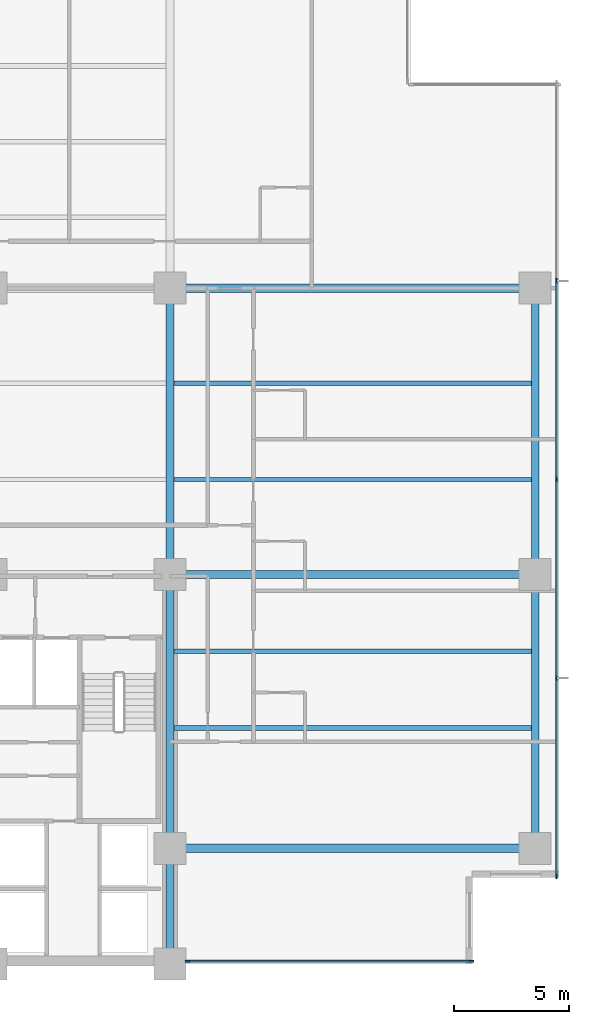
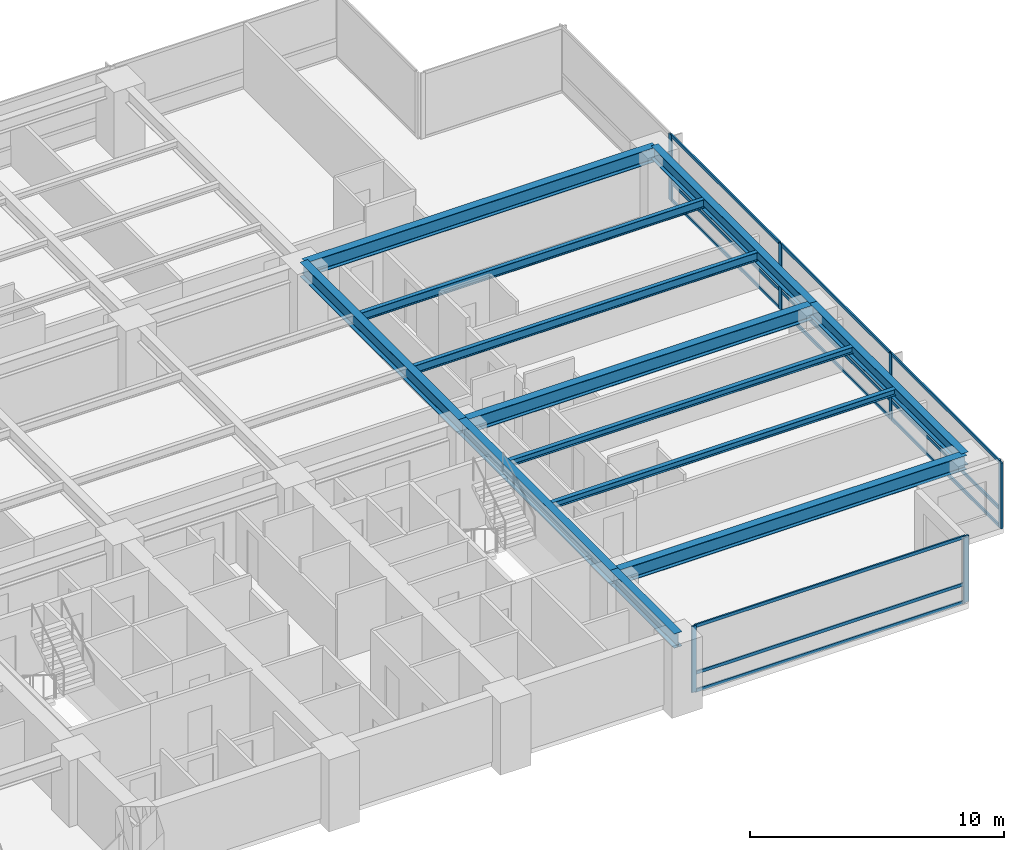
# One storey, part 3 of 16: 18 members, 12 beams, 2 elements without a shape of their own.
"""IFC4 building model written with IfcOpenShell, lengths in metres."""

import ifcopenshell
import ifcopenshell.guid

model = None  # the IFC model being written
_history = None  # IfcOwnerHistory: only IFC2X3 demands one
_inside = {}  # id of a spatial element -> (the spatial element, [elements in it])
_under = {}  # id of a project, library or spatial element -> (it, [spatial elements below it])
_declared = {}  # id of a project -> (the project, [libraries it declares])
_typed = {}  # id of a type object -> (the type object, [elements of that type])
_made_of = {}  # id of a material, layer set ... -> (it, [elements and type objects made of it])


def new_model(schema):
    """Start an empty IFC model of exactly this schema.

    Asked for "IFC4X3", IfcOpenShell would pick the latest addendum, in which some entities
    have other attributes; the version numbers below select the first issue.
    IFC2X3 requires an IfcOwnerHistory on every rooted entity: one is made here for all.
    """
    global model, _history
    if schema == "IFC4X3":
        model = ifcopenshell.file(schema_version=(4, 3, 0, 0))
    else:
        model = ifcopenshell.file(schema=schema)
    _inside.clear()
    _under.clear()
    _declared.clear()
    _typed.clear()
    _made_of.clear()
    _history = None
    if model.schema == "IFC2X3":
        org = make("IfcOrganization", Name="unknown")
        user = make(
            "IfcPersonAndOrganization",
            ThePerson=make("IfcPerson", FamilyName="unknown"),
            TheOrganization=org,
        )
        app = make(
            "IfcApplication",
            ApplicationDeveloper=org,
            Version="unknown",
            ApplicationFullName="unknown",
            ApplicationIdentifier="unknown",
        )
        _history = make(
            "IfcOwnerHistory",
            OwningUser=user,
            OwningApplication=app,
            ChangeAction="ADDED",
            CreationDate=0,
        )
    return model


def make(cls, **values):
    """One entity of the class cls with the attributes given. An attribute that is None is left unset."""
    return model.create_entity(
        cls, **{name: value for name, value in values.items() if value is not None}
    )


def rooted(cls, **values):
    """An entity with a GlobalId (a new one), such as an element, a storey or a relation."""
    return make(cls, GlobalId=ifcopenshell.guid.new(), OwnerHistory=_history, **values)


def si_unit(unit_type, name, prefix=None):
    """IfcSIUnit, for example si_unit("LENGTHUNIT", "METRE", prefix="MILLI")."""
    return make("IfcSIUnit", UnitType=unit_type, Prefix=prefix, Name=name)


def assignment(units):
    """IfcUnitAssignment: the units of a project."""
    return None if units is None else make("IfcUnitAssignment", Units=units)


def point(xyz):
    """IfcCartesianPoint."""
    return None if xyz is None else make("IfcCartesianPoint", Coordinates=xyz)


def direction(xyz):
    """IfcDirection."""
    return None if xyz is None else make("IfcDirection", DirectionRatios=xyz)


def frame(location, z_axis=None, x_axis=None):
    """IfcAxis2Placement3D, a coordinate frame: its origin and axes. An axis left out is left unset."""
    return make(
        "IfcAxis2Placement3D",
        Location=point(location),
        Axis=direction(z_axis),
        RefDirection=direction(x_axis),
    )


def frame_2d(location, x_axis=None):
    """IfcAxis2Placement2D, a coordinate frame in the plane: its origin and x axis."""
    return make(
        "IfcAxis2Placement2D", Location=point(location), RefDirection=direction(x_axis)
    )


def origin():
    """The frame at (0, 0, 0) with its axes left unset."""
    return frame((0.0, 0.0, 0.0))


def origin_2d():
    """The frame at (0, 0) in the plane with its x axis left unset."""
    return frame_2d((0.0, 0.0))


def place(relative_to, where):
    """IfcLocalPlacement: puts the frame where relative to a parent placement (None: the world)."""
    return make(
        "IfcLocalPlacement", PlacementRelTo=relative_to, RelativePlacement=where
    )


def context(
    kind, dimensions, precision=None, world=None, true_north=None, identifier=None
):
    """IfcGeometricRepresentationContext, for example the 3D "Model" context."""
    return make(
        "IfcGeometricRepresentationContext",
        ContextIdentifier=identifier,
        ContextType=kind,
        CoordinateSpaceDimension=dimensions,
        Precision=precision,
        WorldCoordinateSystem=world,
        TrueNorth=true_north,
    )


def subcontext(parent, identifier, kind, view, scale=None):
    """IfcGeometricRepresentationSubContext, for example "Body" below "Model"."""
    return make(
        "IfcGeometricRepresentationSubContext",
        ContextIdentifier=identifier,
        ContextType=kind,
        ParentContext=parent,
        TargetScale=scale,
        TargetView=view,
    )


def project(units=None, contexts=None):
    """IfcProject with its units and contexts."""
    return rooted(
        "IfcProject",
        Name="project",
        RepresentationContexts=contexts,
        UnitsInContext=assignment(units),
    )


def spatial(cls, under=None, at=None, **own):
    """A site, building, storey or space (cls), placed at a placement, below another one or the project."""
    s = rooted(cls, ObjectPlacement=at, **own)
    if under is not None:
        _under.setdefault(under.id(), (under, []))[1].append(s)
    return s


def profile(cls, at=None, kind="AREA", **sizes):
    """A parametric profile (cls). Its sizes go by their IFC names, for example OverallWidth=200.0."""
    return make(cls, ProfileType=kind, Position=at, **sizes)


def rectangle(**sizes):
    """IfcRectangleProfileDef."""
    return profile("IfcRectangleProfileDef", **sizes)


def i_section(**sizes):
    """IfcIShapeProfileDef."""
    return profile("IfcIShapeProfileDef", **sizes)


def extrude(swept, where, along, depth):
    """IfcExtrudedAreaSolid: the profile swept, set in the frame where, extruded along a direction by depth."""
    return make(
        "IfcExtrudedAreaSolid",
        SweptArea=swept,
        Position=where,
        ExtrudedDirection=direction(along),
        Depth=depth,
    )


def shape(context_of_items, identifier, shape_type, items):
    """IfcShapeRepresentation: the items that make up one representation, for example the "Body"."""
    return make(
        "IfcShapeRepresentation",
        ContextOfItems=context_of_items,
        RepresentationIdentifier=identifier,
        RepresentationType=shape_type,
        Items=items,
    )


def material(Name=None, Category=None):
    """IfcMaterial."""
    return make("IfcMaterial", Name=Name, Category=Category)


def layer(
    of_material, thickness, ventilated=None, Name=None, Category=None, Priority=None
):
    """IfcMaterialLayer: one layer of a wall or slab, of a material (None: an air gap)."""
    return make(
        "IfcMaterialLayer",
        Material=of_material,
        LayerThickness=thickness,
        IsVentilated=ventilated,
        Name=Name,
        Category=Category,
        Priority=Priority,
    )


def layer_set(layers, Name=None):
    """IfcMaterialLayerSet."""
    return make("IfcMaterialLayerSet", MaterialLayers=layers, LayerSetName=Name)


def material_profile(
    of_material, cross_section, Name=None, Category=None, Priority=None
):
    """IfcMaterialProfile: a cross section and its material."""
    return make(
        "IfcMaterialProfile",
        Name=Name,
        Material=of_material,
        Profile=cross_section,
        Priority=Priority,
        Category=Category,
    )


def profile_set(profiles, Name=None, composite=None):
    """IfcMaterialProfileSet."""
    return make(
        "IfcMaterialProfileSet",
        Name=Name,
        MaterialProfiles=profiles,
        CompositeProfile=composite,
    )


def made_of(thing, what):
    """Note that an element or type object is made of a material, layer set ...; save() writes the relation."""
    if what is not None:
        _made_of.setdefault(what.id(), (what, []))[1].append(thing)
    return thing


def type_object(cls, material=None, **own):
    """A type object (cls), such as IfcWallType, which elements share."""
    return made_of(rooted(cls, **own), material)


def element(
    cls,
    number,
    at=None,
    inside=None,
    cuts=None,
    type_object=None,
    material=None,
    context=None,
    identifier="Body",
    shape_type=None,
    held_by="IfcProductDefinitionShape",
    body=None,
    shapes=None,
    **own,
):
    """One element of the class cls, such as IfcWall. Its Tag is "e" and its number.

    at: its placement. inside: the storey or other place that contains it. cuts: it is an
    opening in that element (IfcRelVoidsElement). A single representation is given by context,
    identifier, shape_type and body (its items); several are given by shapes. held_by: the class
    of the entity that holds the representations. save() writes the other relations.
    """
    e = rooted(cls, Tag="e%d" % number, ObjectPlacement=at, **own)
    if body is not None:
        shapes = [shape(context, identifier, shape_type, body)]
    if shapes is not None:
        e.Representation = make(held_by, Representations=shapes)
    if inside is not None:
        _inside.setdefault(inside.id(), (inside, []))[1].append(e)
    if cuts is not None:
        rooted(
            "IfcRelVoidsElement", RelatingBuildingElement=cuts, RelatedOpeningElement=e
        )
    if type_object is not None:
        _typed.setdefault(type_object.id(), (type_object, []))[1].append(e)
    return made_of(e, material)


def aggregate(whole, parts):
    """IfcRelAggregates: a whole, such as a stair, and the parts it consists of."""
    return rooted("IfcRelAggregates", RelatingObject=whole, RelatedObjects=parts)


def save(model, path):
    """Write the relations noted so far, then the file.

    IfcRelAggregates (storeys below a building ...), IfcRelContainedInSpatialStructure (elements
    in a storey), IfcRelDefinesByType, IfcRelAssociatesMaterial and IfcRelDeclares: one each for
    every whole, place, type object, material and project.
    """
    for whole, parts in _under.values():
        aggregate(whole, parts)
    for where, things in _inside.values():
        rooted(
            "IfcRelContainedInSpatialStructure",
            RelatedElements=things,
            RelatingStructure=where,
        )
    for kind, things in _typed.values():
        rooted("IfcRelDefinesByType", RelatedObjects=things, RelatingType=kind)
    for what, things in _made_of.values():
        rooted("IfcRelAssociatesMaterial", RelatedObjects=things, RelatingMaterial=what)
    for by, libraries in _declared.values():
        rooted("IfcRelDeclares", RelatingContext=by, RelatedDefinitions=libraries)
    model.write(path)


model = new_model("IFC4")

# Units and contexts
model_context = context("Model", 3, precision=1e-05, world=origin(), true_north=direction((0.0, 1.0)))
body_context = subcontext(model_context, "Body", "Model", "MODEL_VIEW")
ifc_project = project(units=[si_unit("LENGTHUNIT", "METRE"), si_unit("AREAUNIT", "SQUARE_METRE"), si_unit("VOLUMEUNIT", "CUBIC_METRE"), si_unit("PLANEANGLEUNIT", "RADIAN"), si_unit("MASSUNIT", "GRAM", prefix="KILO")], contexts=[model_context])

# Site, building, storey
site_placement = place(None, origin())
site = spatial("IfcSite", under=ifc_project, at=site_placement, CompositionType="ELEMENT")
building_placement = place(site_placement, origin())
building = spatial("IfcBuilding", under=site, at=building_placement, Name="Qalmaran Belvedere Hotel", CompositionType="ELEMENT")
storey_placement = place(building_placement, frame((0.0, 0.0, 71.89990234375)))
storey = spatial("IfcBuildingStorey", under=building, at=storey_placement, Name="L18", CompositionType="ELEMENT", Elevation=71.89990234375)

# Beams
ifc_material_1 = material(Name="Steel S355JR", Category="steel")
ifc_material_profile_1 = material_profile(ifc_material_1, i_section(OverallWidth=0.202880859375, OverallDepth=0.302978515625, WebThickness=0.007568359375, FlangeThickness=0.01318359375, FilletRadius=0.012939453125, at=origin_2d()), Name="W310X60")
ifc_profile_set_1 = profile_set([ifc_material_profile_1], Name="Steel S355JR")
beam_type_1 = type_object("IfcBeamType", Name="BM-JST-W310X60", PredefinedType="JOIST", material=ifc_profile_set_1)
for number, where, z_axis, x_axis, name in (
    (1, (44.9755859375, 13.800048828125, 3.028564453125), (1.0, 0.0, 0.0), (0.0, 1.0, 0.0), "L18 East Wing Joist 039"),
    (2, (44.9755859375, 17.14990234375, 3.028564453125), (1.0, 0.0, 0.0), (0.0, 1.0, 0.0), "L18 East Wing Joist 041"),
):
    element("IfcBeam", number, at=place(storey_placement, frame(where, z_axis=z_axis, x_axis=x_axis)), inside=storey, type_object=beam_type_1, Name=name, PredefinedType="JOIST", context=body_context, shape_type="SweptSolid", body=[
        extrude(i_section(OverallWidth=0.202880859375, OverallDepth=0.302978515625, WebThickness=0.007568359375, FlangeThickness=0.01318359375, FilletRadius=0.012939453125, at=origin_2d()), origin(), (0.0, 0.0, 1.0), 15.61279296875),
    ])
ifc_material_profile_2 = material_profile(ifc_material_1, i_section(OverallWidth=0.180908203125, OverallDepth=0.4169921875, WebThickness=0.010986328125, FlangeThickness=0.018310546875, FilletRadius=0.014892578125, at=origin_2d()), Name="W410X85")
ifc_profile_set_2 = profile_set([ifc_material_profile_2], Name="Steel S355JR")
beam_type_2 = type_object("IfcBeamType", Name="BM-SB1-W410X85", PredefinedType="BEAM", material=ifc_profile_set_2)
for number, where, z_axis, x_axis, name in (
    (3, (44.9755859375, 24.64990234375, 2.9716796875), (1.0, 0.0, 0.0), (0.0, 1.0, 0.0), "L18 East Secondary Beam 032"),
    (4, (44.9755859375, 28.85009765625, 2.9716796875), (1.0, 0.0, 0.0), (0.0, 1.0, 0.0), "L18 East Secondary Beam 037"),
):
    element("IfcBeam", number, at=place(storey_placement, frame(where, z_axis=z_axis, x_axis=x_axis)), inside=storey, type_object=beam_type_2, Name=name, PredefinedType="BEAM", context=body_context, shape_type="SweptSolid", body=[
        extrude(i_section(OverallWidth=0.180908203125, OverallDepth=0.4169921875, WebThickness=0.010986328125, FlangeThickness=0.018310546875, FilletRadius=0.014892578125, at=origin_2d()), origin(), (0.0, 0.0, 1.0), 15.61279296875),
    ])
ifc_material_profile_3 = material_profile(ifc_material_1, i_section(OverallWidth=0.326904296875, OverallDepth=0.6220703125, WebThickness=0.015380859375, FlangeThickness=0.0244140625, FilletRadius=0.02001953125, at=origin_2d()), Name="W610X195")
ifc_profile_set_3 = profile_set([ifc_material_profile_3], Name="Steel S355JR")
beam_type_3 = type_object("IfcBeamType", Name="BM-SP1-W610X195", PredefinedType="SPANDREL", material=ifc_profile_set_3)
beam_1_placement = place(storey_placement, frame((60.75, 8.550048828125, 2.869140625), z_axis=(0.0, 1.0, 0.0), x_axis=(-1.0, 0.0, 0.0)))
element("IfcBeam", 5, at=beam_1_placement, inside=storey, type_object=beam_type_3, Name="L18 Perimeter Spandrel 03", PredefinedType="SPANDREL", context=body_context, shape_type="SweptSolid", body=[
    extrude(i_section(OverallWidth=0.326904296875, OverallDepth=0.6220703125, WebThickness=0.015380859375, FlangeThickness=0.0244140625, FilletRadius=0.02001953125, at=origin_2d()), origin(), (0.0, 0.0, 1.0), 11.949951171875),
])
beam_2_placement = place(storey_placement, frame((60.75, 20.5, 2.869140625), z_axis=(0.0, 1.0, 0.0), x_axis=(-1.0, 0.0, 0.0)))
element("IfcBeam", 6, at=beam_2_placement, inside=storey, type_object=beam_type_3, Name="L18 Perimeter Spandrel 04", PredefinedType="SPANDREL", context=body_context, shape_type="SweptSolid", body=[
    extrude(i_section(OverallWidth=0.326904296875, OverallDepth=0.6220703125, WebThickness=0.015380859375, FlangeThickness=0.0244140625, FilletRadius=0.02001953125, at=origin_2d()), origin(), (0.0, 0.0, 1.0), 12.5),
])
ifc_material_profile_4 = material_profile(ifc_material_1, i_section(OverallWidth=0.35498046875, OverallDepth=0.695068359375, WebThickness=0.015380859375, FlangeThickness=0.02490234375, FilletRadius=0.02197265625, at=origin_2d()), Name="W690X217")
ifc_profile_set_4 = profile_set([ifc_material_profile_4], Name="Steel S355JR")
beam_type_4 = type_object("IfcBeamType", Name="BM-Z1-W690X217", PredefinedType="USERDEFINED", material=ifc_profile_set_4)
beam_3_placement = place(storey_placement, frame((44.800048828125, 20.5, 2.83251953125), z_axis=(0.0, 1.0, 0.0), x_axis=(-1.0, 0.0, 0.0)))
element("IfcBeam", 7, at=beam_3_placement, inside=storey, type_object=beam_type_4, Name="L18 Mid-Plate N-S Girder 20", ObjectType="GIRDER", PredefinedType="USERDEFINED", context=body_context, shape_type="SweptSolid", body=[
    extrude(i_section(OverallWidth=0.35498046875, OverallDepth=0.695068359375, WebThickness=0.015380859375, FlangeThickness=0.02490234375, FilletRadius=0.02197265625, at=origin_2d()), origin(), (0.0, 0.0, 1.0), 12.5),
])
beam_4_placement = place(storey_placement, frame((44.800048828125, 3.5, 2.83251953125), z_axis=(0.0, 1.0, 0.0), x_axis=(-1.0, 0.0, 0.0)))
element("IfcBeam", 8, at=beam_4_placement, inside=storey, type_object=beam_type_4, Name="L18 East Core Edge Girder A", ObjectType="GIRDER", PredefinedType="USERDEFINED", context=body_context, shape_type="SweptSolid", body=[
    extrude(i_section(OverallWidth=0.35498046875, OverallDepth=0.695068359375, WebThickness=0.015380859375, FlangeThickness=0.02490234375, FilletRadius=0.02197265625, at=origin_2d()), origin(), (0.0, 0.0, 1.0), 5.050048828125),
])
beam_5_placement = place(storey_placement, frame((44.800048828125, 8.550048828125, 2.83251953125), z_axis=(0.0, 1.0, 0.0), x_axis=(-1.0, 0.0, 0.0)))
element("IfcBeam", 9, at=beam_5_placement, inside=storey, type_object=beam_type_4, Name="L18 East Core Edge Girder B", ObjectType="GIRDER", PredefinedType="USERDEFINED", context=body_context, shape_type="SweptSolid", body=[
    extrude(i_section(OverallWidth=0.35498046875, OverallDepth=0.695068359375, WebThickness=0.015380859375, FlangeThickness=0.02490234375, FilletRadius=0.02197265625, at=origin_2d()), origin(), (0.0, 0.0, 1.0), 11.949951171875),
])
for number, where, z_axis, x_axis, name in (
    (10, (44.800048828125, 8.550048828125, 2.83251953125), (1.0, 0.0, 0.0), (0.0, 1.0, 0.0), "L18 East Wing Girder 25"),
    (11, (44.800048828125, 20.5, 2.83251953125), (1.0, 0.0, 0.0), (0.0, 1.0, 0.0), "L18 East Wing Girder 26"),
    (12, (44.800048828125, 33.0, 2.83251953125), (1.0, 0.0, 0.0), (0.0, 1.0, 0.0), "L18 East Wing Girder 27"),
):
    element("IfcBeam", number, at=place(storey_placement, frame(where, z_axis=z_axis, x_axis=x_axis)), inside=storey, type_object=beam_type_4, Name=name, ObjectType="GIRDER", PredefinedType="USERDEFINED", context=body_context, shape_type="SweptSolid", body=[
        extrude(i_section(OverallWidth=0.35498046875, OverallDepth=0.695068359375, WebThickness=0.015380859375, FlangeThickness=0.02490234375, FilletRadius=0.02197265625, at=origin_2d()), origin(), (0.0, 0.0, 1.0), 15.949951171875),
    ])

# Curtain wall, members
ifc_material_2 = material(Name="Anodised Bronze Aluminium", Category="aluminium")
ifc_layer = layer(ifc_material_2, 0.2099609375, Name="Anodised Bronze Aluminium")
ifc_layer_set = layer_set([ifc_layer], Name="Anodised Bronze Aluminium")
curtain_wall_type = type_object("IfcCurtainWallType", Name="CW2-TOWER-LOWER", PredefinedType="NOTDEFINED", material=ifc_layer_set)
curtain_wall_1_placement = place(storey_placement, origin())
curtain_wall_1 = element("IfcCurtainWall", 13, at=curtain_wall_1_placement, inside=storey, type_object=curtain_wall_type, Name="L18 Curtain Wall CW2", PredefinedType="NOTDEFINED")
ifc_material_profile_5 = material_profile(ifc_material_2, rectangle(XDim=0.074951171875, YDim=0.219970703125, at=origin_2d()), Name="CWM75X220")
ifc_profile_set_5 = profile_set([ifc_material_profile_5], Name="Anodised Bronze Aluminium")
member_type_1 = type_object("IfcMemberType", Name="CWM-75X220", PredefinedType="MULLION", material=ifc_profile_set_5)
member_1_placement = place(storey_placement, frame((45.577392578125, 3.6201171875, 0.0), z_axis=(0.0, 0.0, 1.0), x_axis=(0.0, 1.0, 0.0)))
member_1 = element("IfcMember", 14, at=member_1_placement, type_object=member_type_1, Name="CW2 mullion 1", PredefinedType="MULLION", context=body_context, shape_type="SweptSolid", body=[
    extrude(rectangle(XDim=0.074951171875, YDim=0.219970703125, at=origin_2d()), origin(), (0.0, 0.0, 1.0), 3.18017578125),
])
member_2_placement = place(storey_placement, frame((57.96240234375, 3.6201171875, 0.0), z_axis=(0.0, 0.0, 1.0), x_axis=(0.0, 1.0, 0.0)))
member_2 = element("IfcMember", 15, at=member_2_placement, type_object=member_type_1, Name="CW2 mullion 2", PredefinedType="MULLION", context=body_context, shape_type="SweptSolid", body=[
    extrude(rectangle(XDim=0.074951171875, YDim=0.219970703125, at=origin_2d()), origin(), (0.0, 0.0, 1.0), 3.18017578125),
])

curtain_wall_2_placement = place(storey_placement, origin())
curtain_wall_2 = element("IfcCurtainWall", 16, at=curtain_wall_2_placement, inside=storey, type_object=curtain_wall_type, Name="L18 Curtain Wall CW2", PredefinedType="NOTDEFINED")
member_3_placement = place(storey_placement, frame((61.679931640625, 7.33740234375, 0.0), z_axis=(0.0, 0.0, 1.0), x_axis=(-1.0, 0.0, 0.0)))
member_3 = element("IfcMember", 17, at=member_3_placement, type_object=member_type_1, Name="CW2 mullion 1", PredefinedType="MULLION", context=body_context, shape_type="SweptSolid", body=[
    extrude(rectangle(XDim=0.074951171875, YDim=0.219970703125, at=origin_2d()), origin(), (0.0, 0.0, 1.0), 3.18017578125),
])
member_4_placement = place(storey_placement, frame((61.679931640625, 15.97509765625, 0.0), z_axis=(0.0, 0.0, 1.0), x_axis=(-1.0, 0.0, 0.0)))
member_4 = element("IfcMember", 18, at=member_4_placement, type_object=member_type_1, Name="CW2 mullion 2", PredefinedType="MULLION", context=body_context, shape_type="SweptSolid", body=[
    extrude(rectangle(XDim=0.074951171875, YDim=0.219970703125, at=origin_2d()), origin(), (0.0, 0.0, 1.0), 3.18017578125),
])
member_5_placement = place(storey_placement, frame((61.679931640625, 24.64990234375, 0.0), z_axis=(0.0, 0.0, 1.0), x_axis=(-1.0, 0.0, 0.0)))
member_5 = element("IfcMember", 19, at=member_5_placement, type_object=member_type_1, Name="CW2 mullion 3", PredefinedType="MULLION", context=body_context, shape_type="SweptSolid", body=[
    extrude(rectangle(XDim=0.074951171875, YDim=0.219970703125, at=origin_2d()), origin(), (0.0, 0.0, 1.0), 3.18017578125),
])
member_6_placement = place(storey_placement, frame((61.679931640625, 33.324951171875, 0.0), z_axis=(0.0, 0.0, 1.0), x_axis=(-1.0, 0.0, 0.0)))
member_6 = element("IfcMember", 20, at=member_6_placement, type_object=member_type_1, Name="CW2 mullion 4", PredefinedType="MULLION", context=body_context, shape_type="SweptSolid", body=[
    extrude(rectangle(XDim=0.074951171875, YDim=0.219970703125, at=origin_2d()), origin(), (0.0, 0.0, 1.0), 3.18017578125),
])

# Member
ifc_material_profile_6 = material_profile(ifc_material_2, rectangle(XDim=0.070068359375, YDim=0.14990234375, at=origin_2d()), Name="CWT70X150")
ifc_profile_set_6 = profile_set([ifc_material_profile_6], Name="Anodised Bronze Aluminium")
member_type_2 = type_object("IfcMemberType", Name="CWT-70X150", PredefinedType="USERDEFINED", material=ifc_profile_set_6)
member_7_placement = place(storey_placement, frame((45.614990234375, 3.6201171875, 0.03515625), z_axis=(1.0, 0.0, 0.0), x_axis=(0.0, 1.0, 0.0)))
member_7 = element("IfcMember", 21, at=member_7_placement, type_object=member_type_2, Name="CW2 transom 1.1", ObjectType="TRANSOM", PredefinedType="USERDEFINED", context=body_context, shape_type="SweptSolid", body=[
    extrude(rectangle(XDim=0.070068359375, YDim=0.14990234375, at=origin_2d()), origin(), (0.0, 0.0, 1.0), 12.31005859375),
])

member_8_placement = place(storey_placement, frame((45.614990234375, 3.6201171875, 0.890380859375), z_axis=(1.0, 0.0, 0.0), x_axis=(0.0, 1.0, 0.0)))
member_8 = element("IfcMember", 22, at=member_8_placement, type_object=member_type_2, Name="CW2 transom 1.2", ObjectType="TRANSOM", PredefinedType="USERDEFINED", context=body_context, shape_type="SweptSolid", body=[
    extrude(rectangle(XDim=0.070068359375, YDim=0.14990234375, at=origin_2d()), origin(), (0.0, 0.0, 1.0), 12.31005859375),
])

member_9_placement = place(storey_placement, frame((45.614990234375, 3.6201171875, 3.14501953125), z_axis=(1.0, 0.0, 0.0), x_axis=(0.0, 1.0, 0.0)))
member_9 = element("IfcMember", 23, at=member_9_placement, type_object=member_type_2, Name="CW2 transom 1.3", ObjectType="TRANSOM", PredefinedType="USERDEFINED", context=body_context, shape_type="SweptSolid", body=[
    extrude(rectangle(XDim=0.070068359375, YDim=0.14990234375, at=origin_2d()), origin(), (0.0, 0.0, 1.0), 12.31005859375),
])

aggregate(curtain_wall_1, [member_1, member_2, member_7, member_8, member_9])

member_10_placement = place(storey_placement, frame((61.679931640625, 7.375, 0.03515625), z_axis=(0.0, 1.0, 0.0), x_axis=(-1.0, 0.0, 0.0)))
member_10 = element("IfcMember", 24, at=member_10_placement, type_object=member_type_2, Name="CW2 transom 1.1", ObjectType="TRANSOM", PredefinedType="USERDEFINED", context=body_context, shape_type="SweptSolid", body=[
    extrude(rectangle(XDim=0.070068359375, YDim=0.14990234375, at=origin_2d()), origin(), (0.0, 0.0, 1.0), 8.5625),
])

member_11_placement = place(storey_placement, frame((61.679931640625, 7.375, 0.890380859375), z_axis=(0.0, 1.0, 0.0), x_axis=(-1.0, 0.0, 0.0)))
member_11 = element("IfcMember", 25, at=member_11_placement, type_object=member_type_2, Name="CW2 transom 1.2", ObjectType="TRANSOM", PredefinedType="USERDEFINED", context=body_context, shape_type="SweptSolid", body=[
    extrude(rectangle(XDim=0.070068359375, YDim=0.14990234375, at=origin_2d()), origin(), (0.0, 0.0, 1.0), 8.5625),
])

member_12_placement = place(storey_placement, frame((61.679931640625, 7.375, 3.14501953125), z_axis=(0.0, 1.0, 0.0), x_axis=(-1.0, 0.0, 0.0)))
member_12 = element("IfcMember", 26, at=member_12_placement, type_object=member_type_2, Name="CW2 transom 1.3", ObjectType="TRANSOM", PredefinedType="USERDEFINED", context=body_context, shape_type="SweptSolid", body=[
    extrude(rectangle(XDim=0.070068359375, YDim=0.14990234375, at=origin_2d()), origin(), (0.0, 0.0, 1.0), 8.5625),
])

member_13_placement = place(storey_placement, frame((61.679931640625, 16.012451171875, 0.03515625), z_axis=(0.0, 1.0, 0.0), x_axis=(-1.0, 0.0, 0.0)))
member_13 = element("IfcMember", 27, at=member_13_placement, type_object=member_type_2, Name="CW2 transom 2.1", ObjectType="TRANSOM", PredefinedType="USERDEFINED", context=body_context, shape_type="SweptSolid", body=[
    extrude(rectangle(XDim=0.070068359375, YDim=0.14990234375, at=origin_2d()), origin(), (0.0, 0.0, 1.0), 8.60009765625),
])

member_14_placement = place(storey_placement, frame((61.679931640625, 16.012451171875, 0.890380859375), z_axis=(0.0, 1.0, 0.0), x_axis=(-1.0, 0.0, 0.0)))
member_14 = element("IfcMember", 28, at=member_14_placement, type_object=member_type_2, Name="CW2 transom 2.2", ObjectType="TRANSOM", PredefinedType="USERDEFINED", context=body_context, shape_type="SweptSolid", body=[
    extrude(rectangle(XDim=0.070068359375, YDim=0.14990234375, at=origin_2d()), origin(), (0.0, 0.0, 1.0), 8.60009765625),
])

member_15_placement = place(storey_placement, frame((61.679931640625, 16.012451171875, 3.14501953125), z_axis=(0.0, 1.0, 0.0), x_axis=(-1.0, 0.0, 0.0)))
member_15 = element("IfcMember", 29, at=member_15_placement, type_object=member_type_2, Name="CW2 transom 2.3", ObjectType="TRANSOM", PredefinedType="USERDEFINED", context=body_context, shape_type="SweptSolid", body=[
    extrude(rectangle(XDim=0.070068359375, YDim=0.14990234375, at=origin_2d()), origin(), (0.0, 0.0, 1.0), 8.60009765625),
])

member_16_placement = place(storey_placement, frame((61.679931640625, 24.6875, 0.03515625), z_axis=(0.0, 1.0, 0.0), x_axis=(-1.0, 0.0, 0.0)))
member_16 = element("IfcMember", 30, at=member_16_placement, type_object=member_type_2, Name="CW2 transom 3.1", ObjectType="TRANSOM", PredefinedType="USERDEFINED", context=body_context, shape_type="SweptSolid", body=[
    extrude(rectangle(XDim=0.070068359375, YDim=0.14990234375, at=origin_2d()), origin(), (0.0, 0.0, 1.0), 8.60009765625),
])

member_17_placement = place(storey_placement, frame((61.679931640625, 24.6875, 0.890380859375), z_axis=(0.0, 1.0, 0.0), x_axis=(-1.0, 0.0, 0.0)))
member_17 = element("IfcMember", 31, at=member_17_placement, type_object=member_type_2, Name="CW2 transom 3.2", ObjectType="TRANSOM", PredefinedType="USERDEFINED", context=body_context, shape_type="SweptSolid", body=[
    extrude(rectangle(XDim=0.070068359375, YDim=0.14990234375, at=origin_2d()), origin(), (0.0, 0.0, 1.0), 8.60009765625),
])

member_18_placement = place(storey_placement, frame((61.679931640625, 24.6875, 3.14501953125), z_axis=(0.0, 1.0, 0.0), x_axis=(-1.0, 0.0, 0.0)))
member_18 = element("IfcMember", 32, at=member_18_placement, type_object=member_type_2, Name="CW2 transom 3.3", ObjectType="TRANSOM", PredefinedType="USERDEFINED", context=body_context, shape_type="SweptSolid", body=[
    extrude(rectangle(XDim=0.070068359375, YDim=0.14990234375, at=origin_2d()), origin(), (0.0, 0.0, 1.0), 8.60009765625),
])

aggregate(curtain_wall_2, [member_3, member_4, member_5, member_6, member_10, member_11, member_12, member_13, member_14, member_15, member_16, member_17, member_18])

save(model, "model.ifc")
